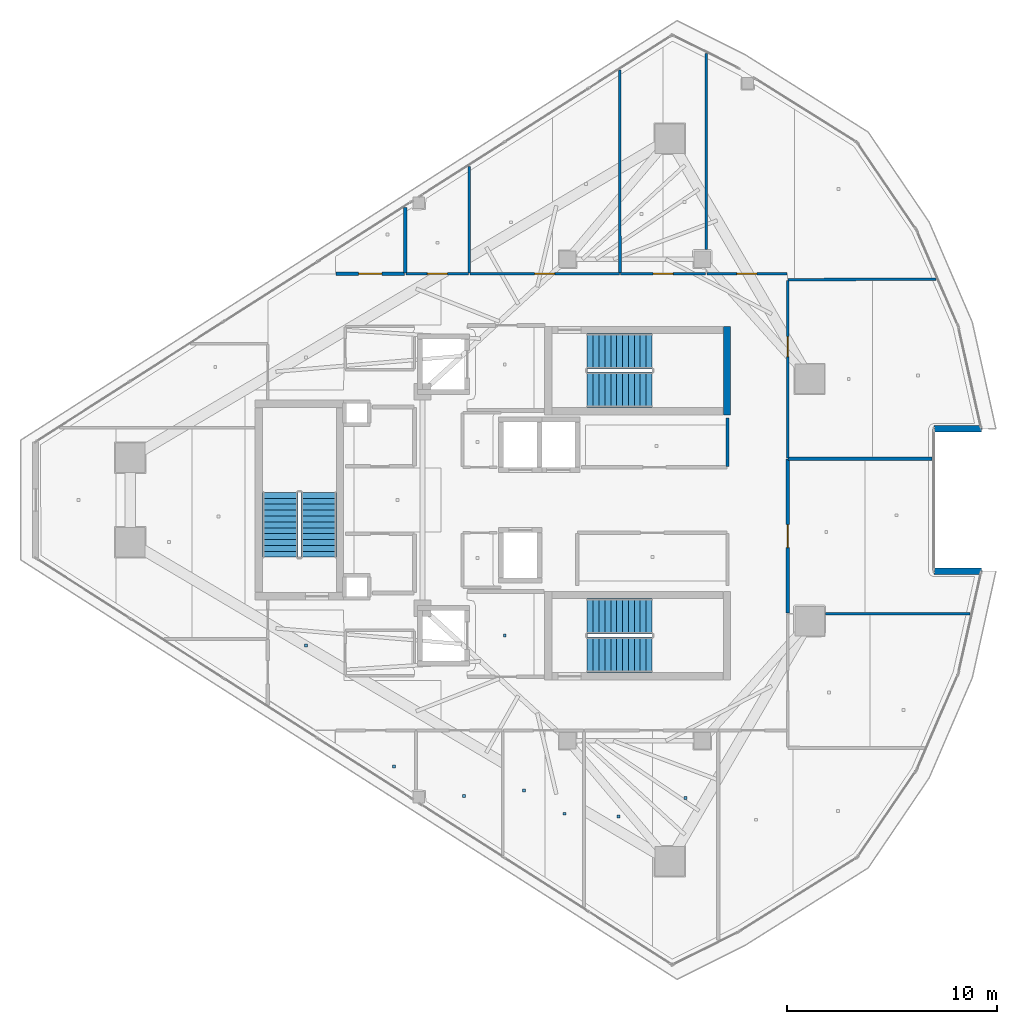
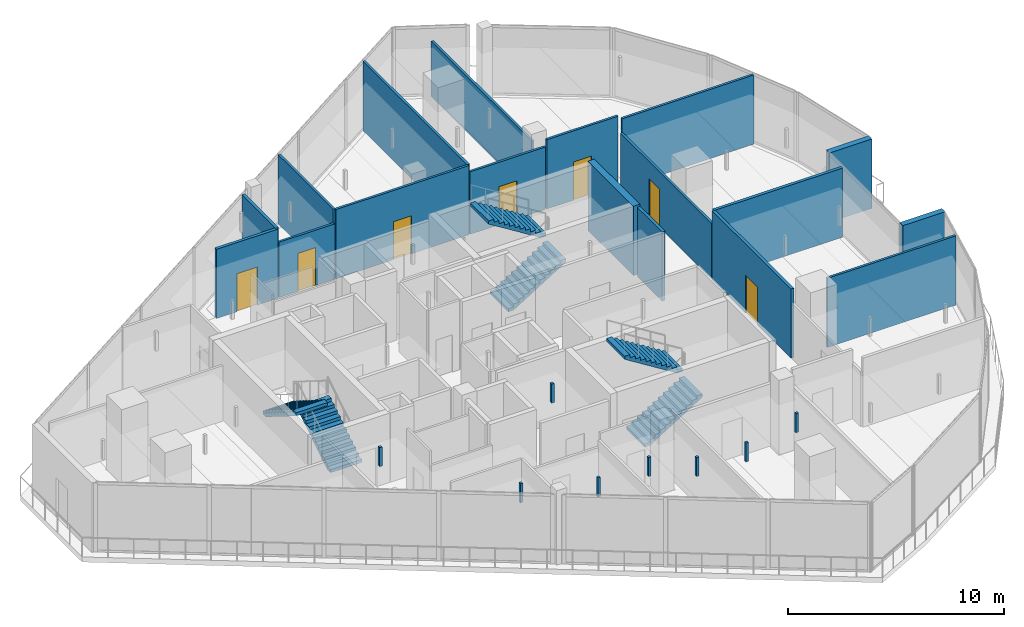
# One storey, part 18 of 25: 18 walls, 8 discrete accessories, 7 doors, 6 stair flights, 7 openings, 3 elements without a shape of their own.
"""IFC4 building model written with IfcOpenShell, lengths in metres."""

import ifcopenshell
import ifcopenshell.guid

model = None  # the IFC model being written
_history = None  # IfcOwnerHistory: only IFC2X3 demands one
_inside = {}  # id of a spatial element -> (the spatial element, [elements in it])
_under = {}  # id of a project, library or spatial element -> (it, [spatial elements below it])
_declared = {}  # id of a project -> (the project, [libraries it declares])
_typed = {}  # id of a type object -> (the type object, [elements of that type])
_made_of = {}  # id of a material, layer set ... -> (it, [elements and type objects made of it])


def new_model(schema):
    """Start an empty IFC model of exactly this schema.

    Asked for "IFC4X3", IfcOpenShell would pick the latest addendum, in which some entities
    have other attributes; the version numbers below select the first issue.
    IFC2X3 requires an IfcOwnerHistory on every rooted entity: one is made here for all.
    """
    global model, _history
    if schema == "IFC4X3":
        model = ifcopenshell.file(schema_version=(4, 3, 0, 0))
    else:
        model = ifcopenshell.file(schema=schema)
    _inside.clear()
    _under.clear()
    _declared.clear()
    _typed.clear()
    _made_of.clear()
    _history = None
    if model.schema == "IFC2X3":
        org = make("IfcOrganization", Name="unknown")
        user = make(
            "IfcPersonAndOrganization",
            ThePerson=make("IfcPerson", FamilyName="unknown"),
            TheOrganization=org,
        )
        app = make(
            "IfcApplication",
            ApplicationDeveloper=org,
            Version="unknown",
            ApplicationFullName="unknown",
            ApplicationIdentifier="unknown",
        )
        _history = make(
            "IfcOwnerHistory",
            OwningUser=user,
            OwningApplication=app,
            ChangeAction="ADDED",
            CreationDate=0,
        )
    return model


def make(cls, **values):
    """One entity of the class cls with the attributes given. An attribute that is None is left unset."""
    return model.create_entity(
        cls, **{name: value for name, value in values.items() if value is not None}
    )


def rooted(cls, **values):
    """An entity with a GlobalId (a new one), such as an element, a storey or a relation."""
    return make(cls, GlobalId=ifcopenshell.guid.new(), OwnerHistory=_history, **values)


def si_unit(unit_type, name, prefix=None):
    """IfcSIUnit, for example si_unit("LENGTHUNIT", "METRE", prefix="MILLI")."""
    return make("IfcSIUnit", UnitType=unit_type, Prefix=prefix, Name=name)


def assignment(units):
    """IfcUnitAssignment: the units of a project."""
    return None if units is None else make("IfcUnitAssignment", Units=units)


def point(xyz):
    """IfcCartesianPoint."""
    return None if xyz is None else make("IfcCartesianPoint", Coordinates=xyz)


def direction(xyz):
    """IfcDirection."""
    return None if xyz is None else make("IfcDirection", DirectionRatios=xyz)


def frame(location, z_axis=None, x_axis=None):
    """IfcAxis2Placement3D, a coordinate frame: its origin and axes. An axis left out is left unset."""
    return make(
        "IfcAxis2Placement3D",
        Location=point(location),
        Axis=direction(z_axis),
        RefDirection=direction(x_axis),
    )


def frame_2d(location, x_axis=None):
    """IfcAxis2Placement2D, a coordinate frame in the plane: its origin and x axis."""
    return make(
        "IfcAxis2Placement2D", Location=point(location), RefDirection=direction(x_axis)
    )


def origin():
    """The frame at (0, 0, 0) with its axes left unset."""
    return frame((0.0, 0.0, 0.0))


def origin_2d():
    """The frame at (0, 0) in the plane with its x axis left unset."""
    return frame_2d((0.0, 0.0))


def place(relative_to, where):
    """IfcLocalPlacement: puts the frame where relative to a parent placement (None: the world)."""
    return make(
        "IfcLocalPlacement", PlacementRelTo=relative_to, RelativePlacement=where
    )


def context(
    kind, dimensions, precision=None, world=None, true_north=None, identifier=None
):
    """IfcGeometricRepresentationContext, for example the 3D "Model" context."""
    return make(
        "IfcGeometricRepresentationContext",
        ContextIdentifier=identifier,
        ContextType=kind,
        CoordinateSpaceDimension=dimensions,
        Precision=precision,
        WorldCoordinateSystem=world,
        TrueNorth=true_north,
    )


def subcontext(parent, identifier, kind, view, scale=None):
    """IfcGeometricRepresentationSubContext, for example "Body" below "Model"."""
    return make(
        "IfcGeometricRepresentationSubContext",
        ContextIdentifier=identifier,
        ContextType=kind,
        ParentContext=parent,
        TargetScale=scale,
        TargetView=view,
    )


def project(units=None, contexts=None):
    """IfcProject with its units and contexts."""
    return rooted(
        "IfcProject",
        Name="project",
        RepresentationContexts=contexts,
        UnitsInContext=assignment(units),
    )


def spatial(cls, under=None, at=None, **own):
    """A site, building, storey or space (cls), placed at a placement, below another one or the project."""
    s = rooted(cls, ObjectPlacement=at, **own)
    if under is not None:
        _under.setdefault(under.id(), (under, []))[1].append(s)
    return s


def polyline(points):
    """IfcPolyline through the points."""
    return make("IfcPolyline", Points=[point(p) for p in points])


def profile(cls, at=None, kind="AREA", **sizes):
    """A parametric profile (cls). Its sizes go by their IFC names, for example OverallWidth=200.0."""
    return make(cls, ProfileType=kind, Position=at, **sizes)


def rectangle(**sizes):
    """IfcRectangleProfileDef."""
    return profile("IfcRectangleProfileDef", **sizes)


def outline(outer, holes=None, kind="AREA"):
    """IfcArbitraryClosedProfileDef: a profile drawn as a closed curve; with holes, ...WithVoids."""
    if holes is None:
        return make("IfcArbitraryClosedProfileDef", ProfileType=kind, OuterCurve=outer)
    return make(
        "IfcArbitraryProfileDefWithVoids",
        ProfileType=kind,
        OuterCurve=outer,
        InnerCurves=holes,
    )


def extrude(swept, where, along, depth):
    """IfcExtrudedAreaSolid: the profile swept, set in the frame where, extruded along a direction by depth."""
    return make(
        "IfcExtrudedAreaSolid",
        SweptArea=swept,
        Position=where,
        ExtrudedDirection=direction(along),
        Depth=depth,
    )


def shape(context_of_items, identifier, shape_type, items):
    """IfcShapeRepresentation: the items that make up one representation, for example the "Body"."""
    return make(
        "IfcShapeRepresentation",
        ContextOfItems=context_of_items,
        RepresentationIdentifier=identifier,
        RepresentationType=shape_type,
        Items=items,
    )


def material(Name=None, Category=None):
    """IfcMaterial."""
    return make("IfcMaterial", Name=Name, Category=Category)


def layer(
    of_material, thickness, ventilated=None, Name=None, Category=None, Priority=None
):
    """IfcMaterialLayer: one layer of a wall or slab, of a material (None: an air gap)."""
    return make(
        "IfcMaterialLayer",
        Material=of_material,
        LayerThickness=thickness,
        IsVentilated=ventilated,
        Name=Name,
        Category=Category,
        Priority=Priority,
    )


def layer_set(layers, Name=None):
    """IfcMaterialLayerSet."""
    return make("IfcMaterialLayerSet", MaterialLayers=layers, LayerSetName=Name)


def made_of(thing, what):
    """Note that an element or type object is made of a material, layer set ...; save() writes the relation."""
    if what is not None:
        _made_of.setdefault(what.id(), (what, []))[1].append(thing)
    return thing


def type_object(cls, material=None, **own):
    """A type object (cls), such as IfcWallType, which elements share."""
    return made_of(rooted(cls, **own), material)


def element(
    cls,
    number,
    at=None,
    inside=None,
    cuts=None,
    type_object=None,
    material=None,
    context=None,
    identifier="Body",
    shape_type=None,
    held_by="IfcProductDefinitionShape",
    body=None,
    shapes=None,
    **own,
):
    """One element of the class cls, such as IfcWall. Its Tag is "e" and its number.

    at: its placement. inside: the storey or other place that contains it. cuts: it is an
    opening in that element (IfcRelVoidsElement). A single representation is given by context,
    identifier, shape_type and body (its items); several are given by shapes. held_by: the class
    of the entity that holds the representations. save() writes the other relations.
    """
    e = rooted(cls, Tag="e%d" % number, ObjectPlacement=at, **own)
    if body is not None:
        shapes = [shape(context, identifier, shape_type, body)]
    if shapes is not None:
        e.Representation = make(held_by, Representations=shapes)
    if inside is not None:
        _inside.setdefault(inside.id(), (inside, []))[1].append(e)
    if cuts is not None:
        rooted(
            "IfcRelVoidsElement", RelatingBuildingElement=cuts, RelatedOpeningElement=e
        )
    if type_object is not None:
        _typed.setdefault(type_object.id(), (type_object, []))[1].append(e)
    return made_of(e, material)


def fill(opening, filler):
    """IfcRelFillsElement: the door or window that sits in an opening."""
    return rooted(
        "IfcRelFillsElement",
        RelatingOpeningElement=opening,
        RelatedBuildingElement=filler,
    )


def aggregate(whole, parts):
    """IfcRelAggregates: a whole, such as a stair, and the parts it consists of."""
    return rooted("IfcRelAggregates", RelatingObject=whole, RelatedObjects=parts)


def save(model, path):
    """Write the relations noted so far, then the file.

    IfcRelAggregates (storeys below a building ...), IfcRelContainedInSpatialStructure (elements
    in a storey), IfcRelDefinesByType, IfcRelAssociatesMaterial and IfcRelDeclares: one each for
    every whole, place, type object, material and project.
    """
    for whole, parts in _under.values():
        aggregate(whole, parts)
    for where, things in _inside.values():
        rooted(
            "IfcRelContainedInSpatialStructure",
            RelatedElements=things,
            RelatingStructure=where,
        )
    for kind, things in _typed.values():
        rooted("IfcRelDefinesByType", RelatedObjects=things, RelatingType=kind)
    for what, things in _made_of.values():
        rooted("IfcRelAssociatesMaterial", RelatedObjects=things, RelatingMaterial=what)
    for by, libraries in _declared.values():
        rooted("IfcRelDeclares", RelatingContext=by, RelatedDefinitions=libraries)
    model.write(path)


model = new_model("IFC4")

# Units and contexts
model_context = context("Model", 3, precision=1e-05, world=origin(), true_north=direction((0.0, 1.0)))
body_context = subcontext(model_context, "Body", "Model", "MODEL_VIEW")
ifc_project = project(units=[si_unit("LENGTHUNIT", "METRE"), si_unit("AREAUNIT", "SQUARE_METRE"), si_unit("VOLUMEUNIT", "CUBIC_METRE"), si_unit("PLANEANGLEUNIT", "RADIAN"), si_unit("MASSUNIT", "GRAM", prefix="KILO")], contexts=[model_context])

# Site, building, storey
site_placement = place(None, origin())
site = spatial("IfcSite", under=ifc_project, at=site_placement, CompositionType="ELEMENT")
building_placement = place(site_placement, origin())
building = spatial("IfcBuilding", under=site, at=building_placement, Name="Qorvath Tower", CompositionType="ELEMENT")
storey_placement = place(building_placement, frame((0.0, 0.0, 306.0)))
storey = spatial("IfcBuildingStorey", under=building, at=storey_placement, Name="L71", CompositionType="ELEMENT", Elevation=306.0)

# Wall
ifc_material_1 = material(Name="Double acoustic gypsum board on steel studs", Category="steel")
ifc_layer_1 = layer(ifc_material_1, 0.159912109375)
ifc_layer_set_1 = layer_set([ifc_layer_1], Name="IW-ACOUSTIC-160")
wall_type_1 = type_object("IfcWallType", Name="IW-ACOUSTIC-160", PredefinedType="PARTITIONING", material=ifc_layer_set_1)
wall_1_placement = place(storey_placement, frame((-16.0, 1.585205078125, 0.0), z_axis=(0.0, 0.0, 1.0), x_axis=(0.0, 1.0, 0.0)))
element("IfcWall", 1, at=wall_1_placement, inside=storey, type_object=wall_type_1, Name="Interior Partition IW-T1-L71-014", PredefinedType="PARTITIONING", context=body_context, shape_type="SweptSolid", body=[
    extrude(rectangle(XDim=2.30224609375, YDim=0.159912109375, at=frame_2d((1.151123046875, 0.0))), origin(), (0.0, 0.0, 1.0), 3.909912109375),
])

# Wall, opening, door
wall_2_placement = place(storey_placement, frame((-34.625, 10.758056640625, 0.0), z_axis=(0.0, 0.0, 1.0), x_axis=(1.0, 0.0, 0.0)))
wall_2 = element("IfcWall", 2, at=wall_2_placement, inside=storey, type_object=wall_type_1, Name="Interior Partition IW-T1-L71-030", PredefinedType="PARTITIONING", context=body_context, shape_type="SweptSolid", body=[
    extrude(rectangle(XDim=3.275390625, YDim=0.159912109375, at=frame_2d((1.6376953125, 0.0))), origin(), (0.0, 0.0, 1.0), 3.909912109375),
])
opening_1_placement = place(wall_2_placement, frame((1.087646484375, 0.0, 0.0)))
opening_1 = element("IfcOpeningElement", 3, at=opening_1_placement, cuts=wall_2, Name="Opening D-T1-L71-24", PredefinedType="OPENING", context=body_context, shape_type="SweptSolid", body=[
    extrude(rectangle(XDim=1.10009765625, YDim=2.14990234375, at=frame_2d((0.550048828125, 1.074951171875))), frame((0.0, 0.08984375, 0.0), z_axis=(0.0, -1.0, 0.0), x_axis=(1.0, 0.0, 0.0)), (0.0, 0.0, 1.0), 0.179931640625),
])
ifc_material_2 = material(Name="Anodised aluminium acoustic framed glass", Category="aluminium")
door_type_1 = type_object("IfcDoorType", Name="D-03", OperationType="NOTDEFINED", PredefinedType="DOOR", material=ifc_material_2)
door_1_placement = place(opening_1_placement, origin())
door_1 = element("IfcDoor", 4, at=door_1_placement, inside=storey, type_object=door_type_1, Name="L71-01 Enclosed Conference Suite Door D-T1-L71-24", OperationType="SINGLE_SWING_LEFT", OverallHeight=2.14990234375, OverallWidth=1.10009765625, PredefinedType="DOOR", context=body_context, shape_type="SweptSolid", body=[
    extrude(rectangle(XDim=1.10009765625, YDim=2.14990234375, at=frame_2d((0.550048828125, 1.074951171875))), frame((0.0, 0.02490234375, 0.0), z_axis=(0.0, -1.0, 0.0), x_axis=(1.0, 0.0, 0.0)), (0.0, 0.0, 1.0), 0.050048828125),
])
fill(opening_1, door_1)

# Walls
wall_3_placement = place(storey_placement, frame((-31.324462890625, 10.783203125, 0.0), z_axis=(0.0, 0.0, 1.0), x_axis=(0.0, 1.0, 0.0)))
element("IfcWall", 5, at=wall_3_placement, inside=storey, type_object=wall_type_1, Name="Interior Partition IW-T1-L71-031", PredefinedType="PARTITIONING", context=body_context, shape_type="SweptSolid", body=[
    extrude(rectangle(XDim=3.1337890625, YDim=0.159912109375, at=frame_2d((1.56689453125, 0.0))), origin(), (0.0, 0.0, 1.0), 3.909912109375),
])
wall_4_placement = place(storey_placement, frame((-6.267822265625, 1.964111328125, 0.0), z_axis=(0.0, 0.0, 1.0), x_axis=(-1.0, 0.0, 0.0)))
element("IfcWall", 6, at=wall_4_placement, inside=storey, type_object=wall_type_1, Name="Interior Partition IW-T1-L71-052", PredefinedType="PARTITIONING", context=body_context, shape_type="SweptSolid", body=[
    extrude(rectangle(XDim=6.849365234375, YDim=0.159912109375, at=frame_2d((3.4248046875, 0.0))), origin(), (0.0, 0.0, 1.0), 3.909912109375),
])

# Wall, opening, door
wall_5_placement = place(storey_placement, frame((-13.14208984375, 1.939208984375, 0.0), z_axis=(0.0, 0.0, 1.0), x_axis=(0.0, -1.0, 0.0)))
wall_5 = element("IfcWall", 7, at=wall_5_placement, inside=storey, type_object=wall_type_1, Name="Interior Partition IW-T1-L71-053", PredefinedType="PARTITIONING", context=body_context, shape_type="SweptSolid", body=[
    extrude(rectangle(XDim=7.309814453125, YDim=0.159912109375, at=frame_2d((3.65478515625, 0.0))), origin(), (0.0, 0.0, 1.0), 3.909912109375),
])
opening_2_placement = place(wall_5_placement, frame((3.10498046875, 0.0, 0.0)))
opening_2 = element("IfcOpeningElement", 8, at=opening_2_placement, cuts=wall_5, Name="Opening D-T1-L71-17", PredefinedType="OPENING", context=body_context, shape_type="SweptSolid", body=[
    extrude(rectangle(XDim=1.10009765625, YDim=2.14990234375, at=frame_2d((0.550048828125, 1.074951171875))), frame((0.0, 0.08984375, 0.0), z_axis=(0.0, -1.0, 0.0), x_axis=(1.0, 0.0, 0.0)), (0.0, 0.0, 1.0), 0.179931640625),
])
door_2_placement = place(opening_2_placement, origin())
door_2 = element("IfcDoor", 9, at=door_2_placement, inside=storey, type_object=door_type_1, Name="L71-12 Enclosed Conference Suite Door D-T1-L71-17", OperationType="SINGLE_SWING_RIGHT", OverallHeight=2.14990234375, OverallWidth=1.10009765625, PredefinedType="DOOR", context=body_context, shape_type="SweptSolid", body=[
    extrude(rectangle(XDim=1.10009765625, YDim=2.14990234375, at=frame_2d((0.550048828125, 1.074951171875))), frame((0.0, 0.02490234375, 0.0), z_axis=(0.0, -1.0, 0.0), x_axis=(1.0, 0.0, 0.0)), (0.0, 0.0, 1.0), 0.050048828125),
])
fill(opening_2, door_2)

ifc_material_3 = material(Name="Gypsum board on metal studs with mineral wool", Category="gypsum")
ifc_layer_2 = layer(ifc_material_3, 0.125)
ifc_layer_set_2 = layer_set([ifc_layer_2], Name="IW-PART-125")
wall_type_2 = type_object("IfcWallType", Name="IW-PART-125", PredefinedType="PARTITIONING", material=ifc_layer_set_2)
wall_6_placement = place(storey_placement, frame((-31.29150390625, 10.758056640625, 0.0), z_axis=(0.0, 0.0, 1.0), x_axis=(1.0, 0.0, 0.0)))
wall_6 = element("IfcWall", 10, at=wall_6_placement, inside=storey, type_object=wall_type_2, Name="Interior Partition IW-T1-L71-032", PredefinedType="PARTITIONING", context=body_context, shape_type="SweptSolid", body=[
    extrude(rectangle(XDim=2.98828125, YDim=0.125, at=frame_2d((1.494140625, 0.0))), origin(), (0.0, 0.0, 1.0), 3.1298828125),
])
opening_3_placement = place(wall_6_placement, frame((1.01904296875, 0.0, 0.0)))
opening_3 = element("IfcOpeningElement", 11, at=opening_3_placement, cuts=wall_6, Name="Opening D-T1-L71-09", PredefinedType="OPENING", context=body_context, shape_type="SweptSolid", body=[
    extrude(rectangle(XDim=0.949951171875, YDim=2.14990234375, at=frame_2d((0.47509765625, 1.074951171875))), frame((0.0, 0.072509765625, 0.0), z_axis=(0.0, -1.0, 0.0), x_axis=(1.0, 0.0, 0.0)), (0.0, 0.0, 1.0), 0.14501953125),
])
ifc_material_4 = material(Name="Solid-core American white oak veneer", Category="wood")
door_type_2 = type_object("IfcDoorType", Name="D-01", OperationType="NOTDEFINED", PredefinedType="DOOR", material=ifc_material_4)
door_3_placement = place(opening_3_placement, origin())
door_3 = element("IfcDoor", 12, at=door_3_placement, inside=storey, type_object=door_type_2, Name="L71-02 Focus Collaboration Pod Door D-T1-L71-09", OperationType="SINGLE_SWING_RIGHT", OverallHeight=2.14990234375, OverallWidth=0.949951171875, PredefinedType="DOOR", context=body_context, shape_type="SweptSolid", body=[
    extrude(rectangle(XDim=0.949951171875, YDim=2.14990234375, at=frame_2d((0.47509765625, 1.074951171875))), frame((0.0, 0.02490234375, 0.0), z_axis=(0.0, -1.0, 0.0), x_axis=(1.0, 0.0, 0.0)), (0.0, 0.0, 1.0), 0.050048828125),
])
fill(opening_3, door_3)

# Wall
wall_7_placement = place(storey_placement, frame((-28.2783203125, 10.783203125, 0.0), z_axis=(0.0, 0.0, 1.0), x_axis=(0.0, 1.0, 0.0)))
element("IfcWall", 13, at=wall_7_placement, inside=storey, type_object=wall_type_2, Name="Interior Partition IW-T1-L71-033", PredefinedType="PARTITIONING", context=body_context, shape_type="SweptSolid", body=[
    extrude(rectangle(XDim=5.08056640625, YDim=0.125, at=frame_2d((2.540283203125, 0.0))), origin(), (0.0, 0.0, 1.0), 3.909912109375),
])

# Wall, opening, door
wall_8_placement = place(storey_placement, frame((-28.245361328125, 10.758056640625, 0.0), z_axis=(0.0, 0.0, 1.0), x_axis=(1.0, 0.0, 0.0)))
wall_8 = element("IfcWall", 14, at=wall_8_placement, inside=storey, type_object=wall_type_2, Name="Interior Partition IW-T1-L71-034", PredefinedType="PARTITIONING", context=body_context, shape_type="SweptSolid", body=[
    extrude(rectangle(XDim=7.1064453125, YDim=0.125, at=frame_2d((3.55322265625, 0.0))), origin(), (0.0, 0.0, 1.0), 3.909912109375),
])
opening_4_placement = place(wall_8_placement, frame((3.078369140625, 0.0, 0.0)))
opening_4 = element("IfcOpeningElement", 15, at=opening_4_placement, cuts=wall_8, Name="Opening D-T1-L71-10", PredefinedType="OPENING", context=body_context, shape_type="SweptSolid", body=[
    extrude(rectangle(XDim=0.949951171875, YDim=2.14990234375, at=frame_2d((0.47509765625, 1.074951171875))), frame((0.0, 0.072509765625, 0.0), z_axis=(0.0, -1.0, 0.0), x_axis=(1.0, 0.0, 0.0)), (0.0, 0.0, 1.0), 0.14501953125),
])
door_4_placement = place(opening_4_placement, origin())
door_4 = element("IfcDoor", 16, at=door_4_placement, inside=storey, type_object=door_type_2, Name="L71-03 Staff Refreshment Pantry and Coffee Bar Door D-T1-L71-10", OperationType="SINGLE_SWING_LEFT", OverallHeight=2.14990234375, OverallWidth=0.949951171875, PredefinedType="DOOR", context=body_context, shape_type="SweptSolid", body=[
    extrude(rectangle(XDim=0.949951171875, YDim=2.14990234375, at=frame_2d((0.47509765625, 1.074951171875))), frame((0.0, 0.02490234375, 0.0), z_axis=(0.0, -1.0, 0.0), x_axis=(1.0, 0.0, 0.0)), (0.0, 0.0, 1.0), 0.050048828125),
])
fill(opening_4, door_4)

# Wall
wall_9_placement = place(storey_placement, frame((-21.11376953125, 10.783203125, 0.0), z_axis=(0.0, 0.0, 1.0), x_axis=(-0.000227502522, 0.999999974121, 0.0)))
element("IfcWall", 17, at=wall_9_placement, inside=storey, type_object=wall_type_2, Name="Interior Partition IW-T1-L71-035", PredefinedType="PARTITIONING", context=body_context, shape_type="SweptSolid", body=[
    extrude(rectangle(XDim=9.658203125, YDim=0.125, at=frame_2d((4.8291015625, 0.0))), origin(), (0.0, 0.0, 1.0), 3.909912109375),
])

# Wall, opening, door
wall_10_placement = place(storey_placement, frame((-21.080810546875, 10.758056640625, 0.0), z_axis=(0.0, 0.0, 1.0), x_axis=(1.0, 0.0, 0.0)))
wall_10 = element("IfcWall", 18, at=wall_10_placement, inside=storey, type_object=wall_type_2, Name="Interior Partition IW-T1-L71-036", PredefinedType="PARTITIONING", context=body_context, shape_type="SweptSolid", body=[
    extrude(rectangle(XDim=4.04296875, YDim=0.125, at=frame_2d((2.021484375, 0.0))), origin(), (0.0, 0.0, 1.0), 3.52880859375),
])
opening_5_placement = place(wall_10_placement, frame((1.54638671875, 0.0, 0.0)))
opening_5 = element("IfcOpeningElement", 19, at=opening_5_placement, cuts=wall_10, Name="Opening D-T1-L71-11", PredefinedType="OPENING", context=body_context, shape_type="SweptSolid", body=[
    extrude(rectangle(XDim=0.949951171875, YDim=2.14990234375, at=frame_2d((0.47509765625, 1.074951171875))), frame((0.0, 0.072509765625, 0.0), z_axis=(0.0, -1.0, 0.0), x_axis=(1.0, 0.0, 0.0)), (0.0, 0.0, 1.0), 0.14501953125),
])
door_5_placement = place(opening_5_placement, origin())
door_5 = element("IfcDoor", 20, at=door_5_placement, inside=storey, type_object=door_type_2, Name="L71-04 Project Collaboration Workspace Door D-T1-L71-11", OperationType="SINGLE_SWING_RIGHT", OverallHeight=2.14990234375, OverallWidth=0.949951171875, PredefinedType="DOOR", context=body_context, shape_type="SweptSolid", body=[
    extrude(rectangle(XDim=0.949951171875, YDim=2.14990234375, at=frame_2d((0.47509765625, 1.074951171875))), frame((0.0, 0.02490234375, 0.0), z_axis=(0.0, -1.0, 0.0), x_axis=(1.0, 0.0, 0.0)), (0.0, 0.0, 1.0), 0.050048828125),
])
fill(opening_5, door_5)

# Wall
wall_11_placement = place(storey_placement, frame((-17.012939453125, 11.9150390625, 0.0), z_axis=(0.0, 0.0, 1.0), x_axis=(0.0, 1.0, 0.0)))
element("IfcWall", 21, at=wall_11_placement, inside=storey, type_object=wall_type_2, Name="Interior Partition IW-T1-L71-037", PredefinedType="PARTITIONING", context=body_context, shape_type="SweptSolid", body=[
    extrude(rectangle(XDim=9.306884765625, YDim=0.125, at=frame_2d((4.6533203125, 0.0))), origin(), (0.0, 0.0, 1.0), 3.1298828125),
])

# Wall, opening, door
wall_12_placement = place(storey_placement, frame((-16.97998046875, 10.758056640625, 0.0), z_axis=(0.0, 0.0, 1.0), x_axis=(1.0, 0.0, 0.0)))
wall_12 = element("IfcWall", 22, at=wall_12_placement, inside=storey, type_object=wall_type_2, Name="Interior Partition IW-T1-L71-038", PredefinedType="PARTITIONING", context=body_context, shape_type="SweptSolid", body=[
    extrude(rectangle(XDim=3.81298828125, YDim=0.125, at=frame_2d((1.906494140625, 0.0))), origin(), (0.0, 0.0, 1.0), 3.909912109375),
])
opening_6_placement = place(wall_12_placement, frame((1.431396484375, 0.0, 0.0)))
opening_6 = element("IfcOpeningElement", 23, at=opening_6_placement, cuts=wall_12, Name="Opening D-T1-L71-25", PredefinedType="OPENING", context=body_context, shape_type="SweptSolid", body=[
    extrude(rectangle(XDim=0.949951171875, YDim=2.14990234375, at=frame_2d((0.47509765625, 1.074951171875))), frame((0.0, 0.072509765625, 0.0), z_axis=(0.0, -1.0, 0.0), x_axis=(1.0, 0.0, 0.0)), (0.0, 0.0, 1.0), 0.14501953125),
])
door_6_placement = place(opening_6_placement, origin())
door_6 = element("IfcDoor", 24, at=door_6_placement, inside=storey, type_object=door_type_2, Name="L71-05 Staff Wellness Studio Door D-T1-L71-25", OperationType="SINGLE_SWING_RIGHT", OverallHeight=2.14990234375, OverallWidth=0.949951171875, PredefinedType="DOOR", context=body_context, shape_type="SweptSolid", body=[
    extrude(rectangle(XDim=0.949951171875, YDim=2.14990234375, at=frame_2d((0.47509765625, 1.074951171875))), frame((0.0, 0.02490234375, 0.0), z_axis=(0.0, -1.0, 0.0), x_axis=(1.0, 0.0, 0.0)), (0.0, 0.0, 1.0), 0.050048828125),
])
fill(opening_6, door_6)

# Walls
wall_13_placement = place(storey_placement, frame((-13.1171875, 10.474609375, 0.0), z_axis=(0.0, 0.0, 1.0), x_axis=(0.999991906597, 0.004023274874, 0.0)))
element("IfcWall", 25, at=wall_13_placement, inside=storey, type_object=wall_type_2, Name="Interior Partition IW-T1-L71-039", PredefinedType="PARTITIONING", context=body_context, shape_type="SweptSolid", body=[
    extrude(rectangle(XDim=7.0390625, YDim=0.125, at=frame_2d((3.51953125, 0.0))), origin(), (0.0, 0.0, 1.0), 3.909912109375),
])
wall_14_placement = place(storey_placement, frame((-4.46435546875, -5.403564453125, 0.0), z_axis=(0.0, 0.0, 1.0), x_axis=(-1.0, 0.0, 0.0)))
element("IfcWall", 26, at=wall_14_placement, inside=storey, type_object=wall_type_2, Name="Interior Partition IW-T1-L71-050", PredefinedType="PARTITIONING", context=body_context, shape_type="SweptSolid", body=[
    extrude(rectangle(XDim=6.867431640625, YDim=0.125, at=frame_2d((3.43359375, 0.0))), origin(), (0.0, 0.0, 1.0), 3.909912109375),
])

# Wall, opening, door
wall_15_placement = place(storey_placement, frame((-13.14208984375, 10.441650390625, 0.0), z_axis=(0.0, 0.0, 1.0), x_axis=(0.0, -1.0, 0.0)))
wall_15 = element("IfcWall", 27, at=wall_15_placement, inside=storey, type_object=wall_type_2, Name="Interior Partition IW-T1-L71-054", PredefinedType="PARTITIONING", context=body_context, shape_type="SweptSolid", body=[
    extrude(rectangle(XDim=8.4443359375, YDim=0.125, at=frame_2d((4.22216796875, 0.0))), origin(), (0.0, 0.0, 1.0), 3.1298828125),
])
opening_7_placement = place(wall_15_placement, frame((2.676513671875, 0.0, 0.0)))
opening_7 = element("IfcOpeningElement", 28, at=opening_7_placement, cuts=wall_15, Name="Opening D-T1-L71-18", PredefinedType="OPENING", context=body_context, shape_type="SweptSolid", body=[
    extrude(rectangle(XDim=0.949951171875, YDim=2.14990234375, at=frame_2d((0.47509765625, 1.074951171875))), frame((0.0, 0.072509765625, 0.0), z_axis=(0.0, -1.0, 0.0), x_axis=(1.0, 0.0, 0.0)), (0.0, 0.0, 1.0), 0.14501953125),
])
door_7_placement = place(opening_7_placement, origin())
door_7 = element("IfcDoor", 29, at=door_7_placement, inside=storey, type_object=door_type_2, Name="L71-13 Focus Collaboration Pod Door D-T1-L71-18", OperationType="SINGLE_SWING_LEFT", OverallHeight=2.14990234375, OverallWidth=0.949951171875, PredefinedType="DOOR", context=body_context, shape_type="SweptSolid", body=[
    extrude(rectangle(XDim=0.949951171875, YDim=2.14990234375, at=frame_2d((0.47509765625, 1.074951171875))), frame((0.0, 0.02490234375, 0.0), z_axis=(0.0, -1.0, 0.0), x_axis=(1.0, 0.0, 0.0)), (0.0, 0.0, 1.0), 0.050048828125),
])
fill(opening_7, door_7)

# Walls
ifc_material_5 = material(Name="Concrete C60/75", Category="concrete")
ifc_layer_3 = layer(ifc_material_5, 0.35009765625)
ifc_layer_set_3 = layer_set([ifc_layer_3], Name="SW-STAIR")
wall_type_3 = type_object("IfcWallType", Name="SW-STAIR", PredefinedType="SHEAR", material=ifc_layer_set_3)
wall_16_placement = place(storey_placement, frame((-16.02490234375, 4.050048828125, 0.0), z_axis=(0.0, 0.0, 1.0), x_axis=(0.0, 1.0, 0.0)))
element("IfcWall", 30, at=wall_16_placement, inside=storey, type_object=wall_type_3, Name="Stair TS1 Shear Wall L71 FAR", PredefinedType="SHEAR", context=body_context, shape_type="SweptSolid", body=[
    extrude(rectangle(XDim=4.2099609375, YDim=0.35009765625, at=frame_2d((2.10498046875, 0.0))), origin(), (0.0, 0.0, 1.0), 3.909912109375),
])
ifc_material_6 = material(Name="Precast concrete C45/55", Category="concrete")
ifc_layer_4 = layer(ifc_material_6, 0.300048828125)
ifc_layer_set_4 = layer_set([ifc_layer_4], Name="WL-EW-LOG-300")
wall_type_4 = type_object("IfcWallType", Name="WL-EW-LOG-300", PredefinedType="SOLIDWALL", material=ifc_layer_set_4)
for number, where, z_axis, x_axis, name in (
    (31, (-3.9306640625, -3.3857421875, 0.0), (0.0, 0.0, 1.0), (-1.0, 0.0, 0.0), "Tower Precast Loggia Wall L71-8.1"),
    (32, (-6.18798828125, 3.3857421875, 0.0), (0.0, 0.0, 1.0), (1.0, 0.0, 0.0), "Tower Precast Loggia Wall L71-10.1"),
):
    element("IfcWall", number, at=place(storey_placement, frame(where, z_axis=z_axis, x_axis=x_axis)), inside=storey, type_object=wall_type_4, Name=name, PredefinedType="SOLIDWALL", context=body_context, shape_type="SweptSolid", body=[
        extrude(rectangle(XDim=2.25732421875, YDim=0.300048828125, at=frame_2d((1.128662109375, 0.0))), origin(), (0.0, 0.0, 1.0), 3.909912109375),
    ])

# Stair, stair flights
ifc_material_7 = material(Name="Concrete C50/60", Category="concrete")
stair_type = type_object("IfcStairType", Name="ST-H420", PredefinedType="HALF_TURN_STAIR", material=ifc_material_7)
stair_1_placement = place(storey_placement, origin())
stair_1 = element("IfcStair", 33, at=stair_1_placement, inside=storey, type_object=stair_type, Name="L71 Tower Exit Stair 1", PredefinedType="HALF_TURN_STAIR")
ifc_material_8 = material(Name="Concrete C50/60", Category="concrete")
ifc_layer_5 = layer(ifc_material_8, 0.14990234375)
ifc_layer_set_5 = layer_set([ifc_layer_5], Name="SF-H420")
stair_flight_type = type_object("IfcStairFlightType", Name="SF-H420", PredefinedType="STRAIGHT", material=ifc_layer_set_5)
stair_flight_1_placement = place(storey_placement, frame((-22.669921875, 5.239990234375, 0.0), z_axis=(0.0, 0.0, 1.0), x_axis=(1.0, 0.0, 0.0)))
stair_flight_1 = element("IfcStairFlight", 34, at=stair_flight_1_placement, type_object=stair_flight_type, Name="TS1 flight 1", NumberOfRisers=12, NumberOfTreads=11, PredefinedType="STRAIGHT", RiserHeight=0.175, TreadLength=0.28, context=body_context, shape_type="SweptSolid", body=[
    extrude(outline(polyline([(0.0, 0.0), (0.0, 0.175048828125), (0.280029296875, 0.175048828125), (0.280029296875, 0.35009765625), (0.56005859375, 0.35009765625), (0.56005859375, 0.52490234375), (0.840087890625, 0.52490234375), (0.840087890625, 0.699951171875), (1.1201171875, 0.699951171875), (1.1201171875, 0.875), (1.39990234375, 0.875), (1.39990234375, 1.050048828125), (1.679931640625, 1.050048828125), (1.679931640625, 1.22509765625), (1.9599609375, 1.22509765625), (1.9599609375, 1.39990234375), (2.239990234375, 1.39990234375), (2.239990234375, 1.574951171875), (2.52001953125, 1.574951171875), (2.52001953125, 1.75), (2.800048828125, 1.75), (2.800048828125, 1.925048828125), (3.080078125, 1.925048828125), (3.080078125, 2.10009765625), (3.080078125, 1.748291015625), (0.28271484375, 0.0), (0.0, 0.0)])), frame((0.0, 0.83984375, 0.0), z_axis=(0.0, -1.0, 0.0), x_axis=(1.0, 0.0, 0.0)), (0.0, 0.0, 1.0), 1.679931640625),
])
stair_flight_2_placement = place(storey_placement, frame((-19.590087890625, 7.070068359375, 2.10009765625), z_axis=(0.0, 0.0, 1.0), x_axis=(-1.0, 0.0, 0.0)))
stair_flight_2 = element("IfcStairFlight", 35, at=stair_flight_2_placement, type_object=stair_flight_type, Name="TS1 flight 2", NumberOfRisers=12, NumberOfTreads=11, PredefinedType="STRAIGHT", RiserHeight=0.175, TreadLength=0.28, context=body_context, shape_type="SweptSolid", body=[
    extrude(outline(polyline([(0.0, 0.0), (0.0, 0.175048828125), (0.280029296875, 0.175048828125), (0.280029296875, 0.35009765625), (0.56005859375, 0.35009765625), (0.56005859375, 0.52490234375), (0.840087890625, 0.52490234375), (0.840087890625, 0.699951171875), (1.1201171875, 0.699951171875), (1.1201171875, 0.875), (1.39990234375, 0.875), (1.39990234375, 1.050048828125), (1.679931640625, 1.050048828125), (1.679931640625, 1.22509765625), (1.9599609375, 1.22509765625), (1.9599609375, 1.39990234375), (2.239990234375, 1.39990234375), (2.239990234375, 1.574951171875), (2.52001953125, 1.574951171875), (2.52001953125, 1.75), (2.800048828125, 1.75), (2.800048828125, 1.925048828125), (3.080078125, 1.925048828125), (3.080078125, 2.10009765625), (3.080078125, 1.748291015625), (0.28271484375, 0.0), (0.0, 0.0)])), frame((0.0, 0.83984375, 0.0), z_axis=(0.0, -1.0, 0.0), x_axis=(1.0, 0.0, 0.0)), (0.0, 0.0, 1.0), 1.679931640625),
])
aggregate(stair_1, [stair_flight_1, stair_flight_2])

stair_2_placement = place(storey_placement, origin())
stair_2 = element("IfcStair", 36, at=stair_2_placement, inside=storey, type_object=stair_type, Name="L71 Tower Exit Stair 2", PredefinedType="HALF_TURN_STAIR")
stair_flight_3_placement = place(storey_placement, frame((-22.669921875, -7.360107421875, 0.0), z_axis=(0.0, 0.0, 1.0), x_axis=(1.0, 0.0, 0.0)))
stair_flight_3 = element("IfcStairFlight", 37, at=stair_flight_3_placement, type_object=stair_flight_type, Name="TS2 flight 1", NumberOfRisers=12, NumberOfTreads=11, PredefinedType="STRAIGHT", RiserHeight=0.175, TreadLength=0.28, context=body_context, shape_type="SweptSolid", body=[
    extrude(outline(polyline([(0.0, 0.0), (0.0, 0.175048828125), (0.280029296875, 0.175048828125), (0.280029296875, 0.35009765625), (0.56005859375, 0.35009765625), (0.56005859375, 0.52490234375), (0.840087890625, 0.52490234375), (0.840087890625, 0.699951171875), (1.1201171875, 0.699951171875), (1.1201171875, 0.875), (1.39990234375, 0.875), (1.39990234375, 1.050048828125), (1.679931640625, 1.050048828125), (1.679931640625, 1.22509765625), (1.9599609375, 1.22509765625), (1.9599609375, 1.39990234375), (2.239990234375, 1.39990234375), (2.239990234375, 1.574951171875), (2.52001953125, 1.574951171875), (2.52001953125, 1.75), (2.800048828125, 1.75), (2.800048828125, 1.925048828125), (3.080078125, 1.925048828125), (3.080078125, 2.10009765625), (3.080078125, 1.748291015625), (0.28271484375, 0.0), (0.0, 0.0)])), frame((0.0, 0.83984375, 0.0), z_axis=(0.0, -1.0, 0.0), x_axis=(1.0, 0.0, 0.0)), (0.0, 0.0, 1.0), 1.679931640625),
])
stair_flight_4_placement = place(storey_placement, frame((-19.590087890625, -5.530029296875, 2.10009765625), z_axis=(0.0, 0.0, 1.0), x_axis=(-1.0, 0.0, 0.0)))
stair_flight_4 = element("IfcStairFlight", 38, at=stair_flight_4_placement, type_object=stair_flight_type, Name="TS2 flight 2", NumberOfRisers=12, NumberOfTreads=11, PredefinedType="STRAIGHT", RiserHeight=0.175, TreadLength=0.28, context=body_context, shape_type="SweptSolid", body=[
    extrude(outline(polyline([(0.0, 0.0), (0.0, 0.175048828125), (0.280029296875, 0.175048828125), (0.280029296875, 0.35009765625), (0.56005859375, 0.35009765625), (0.56005859375, 0.52490234375), (0.840087890625, 0.52490234375), (0.840087890625, 0.699951171875), (1.1201171875, 0.699951171875), (1.1201171875, 0.875), (1.39990234375, 0.875), (1.39990234375, 1.050048828125), (1.679931640625, 1.050048828125), (1.679931640625, 1.22509765625), (1.9599609375, 1.22509765625), (1.9599609375, 1.39990234375), (2.239990234375, 1.39990234375), (2.239990234375, 1.574951171875), (2.52001953125, 1.574951171875), (2.52001953125, 1.75), (2.800048828125, 1.75), (2.800048828125, 1.925048828125), (3.080078125, 1.925048828125), (3.080078125, 2.10009765625), (3.080078125, 1.748291015625), (0.28271484375, 0.0), (0.0, 0.0)])), frame((0.0, 0.83984375, 0.0), z_axis=(0.0, -1.0, 0.0), x_axis=(1.0, 0.0, 0.0)), (0.0, 0.0, 1.0), 1.679931640625),
])
aggregate(stair_2, [stair_flight_3, stair_flight_4])

stair_3_placement = place(storey_placement, origin())
stair_3 = element("IfcStair", 39, at=stair_3_placement, inside=storey, type_object=stair_type, Name="L71 Tower Exit Stair 3", PredefinedType="HALF_TURN_STAIR")
stair_flight_5_placement = place(storey_placement, frame((-35.43994140625, -2.719970703125, 0.0), z_axis=(0.0, 0.0, 1.0), x_axis=(0.0, 1.0, 0.0)))
stair_flight_5 = element("IfcStairFlight", 40, at=stair_flight_5_placement, type_object=stair_flight_type, Name="TS3 flight 1", NumberOfRisers=12, NumberOfTreads=11, PredefinedType="STRAIGHT", RiserHeight=0.175, TreadLength=0.28, context=body_context, shape_type="SweptSolid", body=[
    extrude(outline(polyline([(0.0, 0.0), (0.0, 0.175048828125), (0.280029296875, 0.175048828125), (0.280029296875, 0.35009765625), (0.56005859375, 0.35009765625), (0.56005859375, 0.52490234375), (0.840087890625, 0.52490234375), (0.840087890625, 0.699951171875), (1.1201171875, 0.699951171875), (1.1201171875, 0.875), (1.39990234375, 0.875), (1.39990234375, 1.050048828125), (1.679931640625, 1.050048828125), (1.679931640625, 1.22509765625), (1.9599609375, 1.22509765625), (1.9599609375, 1.39990234375), (2.239990234375, 1.39990234375), (2.239990234375, 1.574951171875), (2.52001953125, 1.574951171875), (2.52001953125, 1.75), (2.800048828125, 1.75), (2.800048828125, 1.925048828125), (3.080078125, 1.925048828125), (3.080078125, 2.10009765625), (3.080078125, 1.748291015625), (0.28271484375, 0.0), (0.0, 0.0)])), frame((0.0, 0.83984375, 0.0), z_axis=(0.0, -1.0, 0.0), x_axis=(1.0, 0.0, 0.0)), (0.0, 0.0, 1.0), 1.679931640625),
])
stair_flight_6_placement = place(storey_placement, frame((-37.27001953125, 0.360107421875, 2.10009765625), z_axis=(0.0, 0.0, 1.0), x_axis=(0.0, -1.0, 0.0)))
stair_flight_6 = element("IfcStairFlight", 41, at=stair_flight_6_placement, type_object=stair_flight_type, Name="TS3 flight 2", NumberOfRisers=12, NumberOfTreads=11, PredefinedType="STRAIGHT", RiserHeight=0.175, TreadLength=0.28, context=body_context, shape_type="SweptSolid", body=[
    extrude(outline(polyline([(0.0, 0.0), (0.0, 0.175048828125), (0.280029296875, 0.175048828125), (0.280029296875, 0.35009765625), (0.56005859375, 0.35009765625), (0.56005859375, 0.52490234375), (0.840087890625, 0.52490234375), (0.840087890625, 0.699951171875), (1.1201171875, 0.699951171875), (1.1201171875, 0.875), (1.39990234375, 0.875), (1.39990234375, 1.050048828125), (1.679931640625, 1.050048828125), (1.679931640625, 1.22509765625), (1.9599609375, 1.22509765625), (1.9599609375, 1.39990234375), (2.239990234375, 1.39990234375), (2.239990234375, 1.574951171875), (2.52001953125, 1.574951171875), (2.52001953125, 1.75), (2.800048828125, 1.75), (2.800048828125, 1.925048828125), (3.080078125, 1.925048828125), (3.080078125, 2.10009765625), (3.080078125, 1.748291015625), (0.28271484375, 0.0), (0.0, 0.0)])), frame((0.0, 0.83984375, 0.0), z_axis=(0.0, -1.0, 0.0), x_axis=(1.0, 0.0, 0.0)), (0.0, 0.0, 1.0), 1.679931640625),
])
aggregate(stair_3, [stair_flight_5, stair_flight_6])

# Discrete accessories
ifc_material_9 = material(Name="Galvanised steel bracket", Category="steel")
discrete_accessory_type = type_object("IfcDiscreteAccessoryType", Name="DA-BRACKET", PredefinedType="BRACKET", material=ifc_material_9)
for number, where, z_axis, x_axis, name in (
    (42, (-26.590087890625, -6.449951171875, 2.85986328125), (0.0, 0.0, 1.0), (1.0, 0.0, 0.0), "Acoustic Ceiling Suspension Hanger T1-L71-002"),
    (43, (-36.04150390625, -6.908447265625, 2.85986328125), (0.0, 0.0, 1.0), (1.0, 0.0, 0.0), "Acoustic Ceiling Suspension Hanger T1-L71-011"),
    (44, (-31.862060546875, -12.6806640625, 2.85986328125), (0.0, 0.0, 1.0), (1.0, 0.0, 0.0), "Acoustic Ceiling Suspension Hanger T1-L71-022"),
    (45, (-28.522216796875, -14.064453125, 2.85986328125), (0.0, 0.0, 1.0), (1.0, 0.0, 0.0), "Acoustic Ceiling Suspension Hanger T1-L71-023"),
    (46, (-25.6728515625, -13.814453125, 2.85986328125), (0.0, 0.0, 1.0), (1.0, 0.0, 0.0), "Acoustic Ceiling Suspension Hanger T1-L71-024"),
    (47, (-23.75048828125, -14.919677734375, 2.85986328125), (0.0, 0.0, 1.0), (1.0, 0.0, 0.0), "Acoustic Ceiling Suspension Hanger T1-L71-025"),
    (48, (-21.190673828125, -15.048828125, 2.85986328125), (0.0, 0.0, 1.0), (1.0, 0.0, 0.0), "Acoustic Ceiling Suspension Hanger T1-L71-026"),
    (49, (-18.00390625, -14.162841796875, 2.85986328125), (0.0, 0.0, 1.0), (1.0, 0.0, 0.0), "Acoustic Ceiling Suspension Hanger T1-L71-027"),
):
    element("IfcDiscreteAccessory", number, at=place(storey_placement, frame(where, z_axis=z_axis, x_axis=x_axis)), inside=storey, type_object=discrete_accessory_type, Name=name, PredefinedType="NOTDEFINED", context=body_context, shape_type="SweptSolid", body=[
        extrude(rectangle(XDim=0.139892578125, YDim=0.139892578125, at=origin_2d()), origin(), (0.0, 0.0, 1.0), 1.079833984375),
    ])

save(model, "model.ifc")
